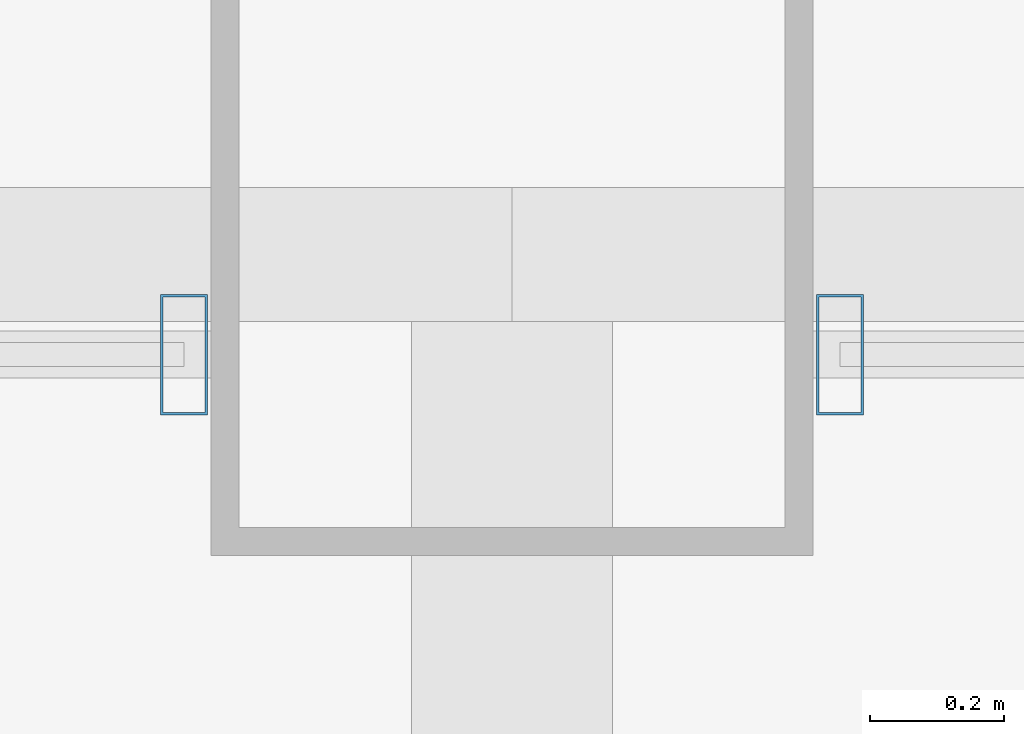
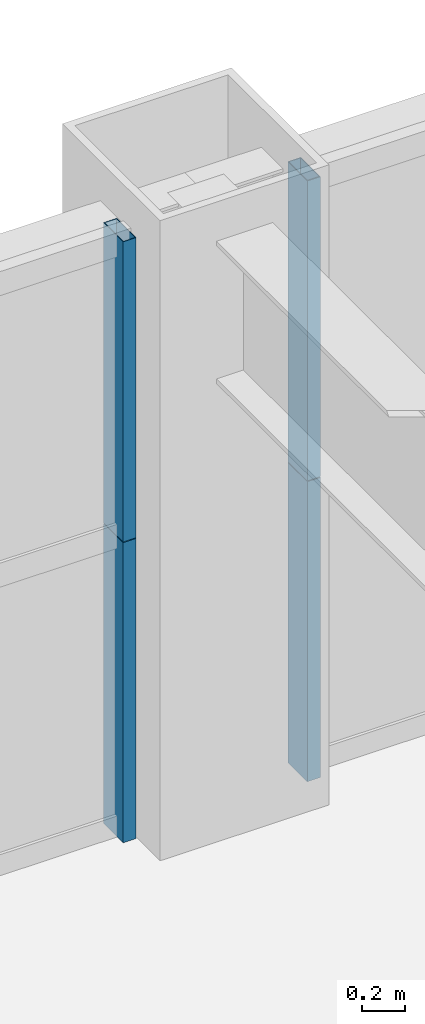
# One storey, part 32 of 46: 4 members, 2 elements without a shape of their own.
"""IFC4 building model written with IfcOpenShell, lengths in metres."""

from ifc_helpers import new_model, si_unit, direction, frame, origin, origin_2d, place, context, subcontext, project, spatial, hollow_rectangle, extrude, source, transform, mapped, material, layer, layer_set, material_profile, profile_set, type_object, element, aggregate, save


model = new_model("IFC4")

# Units and contexts
model_context = context("Model", 3, precision=1e-05, world=origin(), true_north=direction((0.0, 1.0)))
body_context = subcontext(model_context, "Body", "Model", "MODEL_VIEW")
ifc_project = project(units=[si_unit("LENGTHUNIT", "METRE"), si_unit("AREAUNIT", "SQUARE_METRE"), si_unit("VOLUMEUNIT", "CUBIC_METRE"), si_unit("PLANEANGLEUNIT", "RADIAN"), si_unit("MASSUNIT", "GRAM", prefix="KILO"), si_unit("THERMODYNAMICTEMPERATUREUNIT", "KELVIN"), si_unit("POWERUNIT", "WATT")], contexts=[model_context])

# Site, building, storey
site_placement = place(None, origin())
site = spatial("IfcSite", under=ifc_project, at=site_placement, CompositionType="ELEMENT")
building_placement = place(site_placement, origin())
building = spatial("IfcBuilding", under=site, at=building_placement, Name="Yuzanri Waterfront Tower", CompositionType="ELEMENT")
storey_placement = place(building_placement, frame((0.0, 0.0, 56.800048828125)))
storey = spatial("IfcBuildingStorey", under=building, at=storey_placement, Name="L14", CompositionType="ELEMENT", Elevation=56.800048828125)

# Curtain wall, members
ifc_material_1 = material(Name="Anodized Architectural Bronze", Category="metal")
ifc_layer = layer(ifc_material_1, 0.159912109375)
ifc_layer_set = layer_set([ifc_layer], Name="Anodized Architectural Bronze")
curtain_wall_type = type_object("IfcCurtainWallType", Name="Anodized Bronze Hotel Lower-Tier Recessed Unitized Curtain Wall 8100", PredefinedType="NOTDEFINED", material=ifc_layer_set)
curtain_wall_1_placement = place(storey_placement, origin())
curtain_wall_1 = element("IfcCurtainWall", 1, at=curtain_wall_1_placement, inside=storey, type_object=curtain_wall_type, Name="L14 Curtain Wall CW-L14-NL", PredefinedType="NOTDEFINED")
ifc_material_2 = material(Name="Anodized Architectural Bronze", Category="metal")
ifc_material_profile = material_profile(ifc_material_2, hollow_rectangle(XDim=0.070068359375, YDim=0.179931640625, WallThickness=0.00390625, at=origin_2d()), Name="CWM 70x180")
ifc_profile_set = profile_set([ifc_material_profile], Name="Anodized Architectural Bronze")
member_type = type_object("IfcMemberType", Name="Anodized Bronze Standard Curtain-Wall Mullion 70x180", PredefinedType="MULLION", material=ifc_profile_set)
shared_shape = source(origin(), body_context, "Body", "SweptSolid", [
    extrude(hollow_rectangle(XDim=0.070068359375, YDim=0.179931640625, WallThickness=0.00390625, at=origin_2d()), origin(), (0.0, 0.0, 1.0), 1.68798828125),
])
member_1_placement = place(storey_placement, frame((36.510009765625, 50.75, 0.0), z_axis=(0.0, 0.0, 1.0), x_axis=(1.0, 0.0, 0.0)))
member_1 = element("IfcMember", 2, at=member_1_placement, type_object=member_type, Name="CW-L14-NL Lower Mullion 02", PredefinedType="MULLION", context=body_context, shape_type="MappedRepresentation", body=[
    mapped(shared_shape, transform((0.0, 0.0, 0.0), scale=1.0)),
])
member_2_placement = place(storey_placement, frame((36.510009765625, 50.75, 1.69189453125), z_axis=(0.0, 0.0, 1.0), x_axis=(1.0, 0.0, 0.0)))
member_2 = element("IfcMember", 3, at=member_2_placement, type_object=member_type, Name="CW-L14-NL Upper Mullion 02", PredefinedType="MULLION", context=body_context, shape_type="MappedRepresentation", body=[
    mapped(shared_shape, transform((0.0, 0.0, 0.0), scale=1.0)),
])
aggregate(curtain_wall_1, [member_1, member_2])

curtain_wall_2_placement = place(storey_placement, origin())
curtain_wall_2 = element("IfcCurtainWall", 4, at=curtain_wall_2_placement, inside=storey, type_object=curtain_wall_type, Name="L14 Curtain Wall CW-L14-NR", PredefinedType="NOTDEFINED")
member_3_placement = place(storey_placement, frame((37.489990234375, 50.75, 0.0), z_axis=(0.0, 0.0, 1.0), x_axis=(1.0, 0.0, 0.0)))
member_3 = element("IfcMember", 5, at=member_3_placement, type_object=member_type, Name="CW-L14-NR Lower Mullion 00", PredefinedType="MULLION", context=body_context, shape_type="MappedRepresentation", body=[
    mapped(shared_shape, transform((0.0, 0.0, 0.0), scale=1.0)),
])
member_4_placement = place(storey_placement, frame((37.489990234375, 50.75, 1.69189453125), z_axis=(0.0, 0.0, 1.0), x_axis=(1.0, 0.0, 0.0)))
member_4 = element("IfcMember", 6, at=member_4_placement, type_object=member_type, Name="CW-L14-NR Upper Mullion 00", PredefinedType="MULLION", context=body_context, shape_type="MappedRepresentation", body=[
    mapped(shared_shape, transform((0.0, 0.0, 0.0), scale=1.0)),
])
aggregate(curtain_wall_2, [member_3, member_4])

save(model, "model.ifc")
